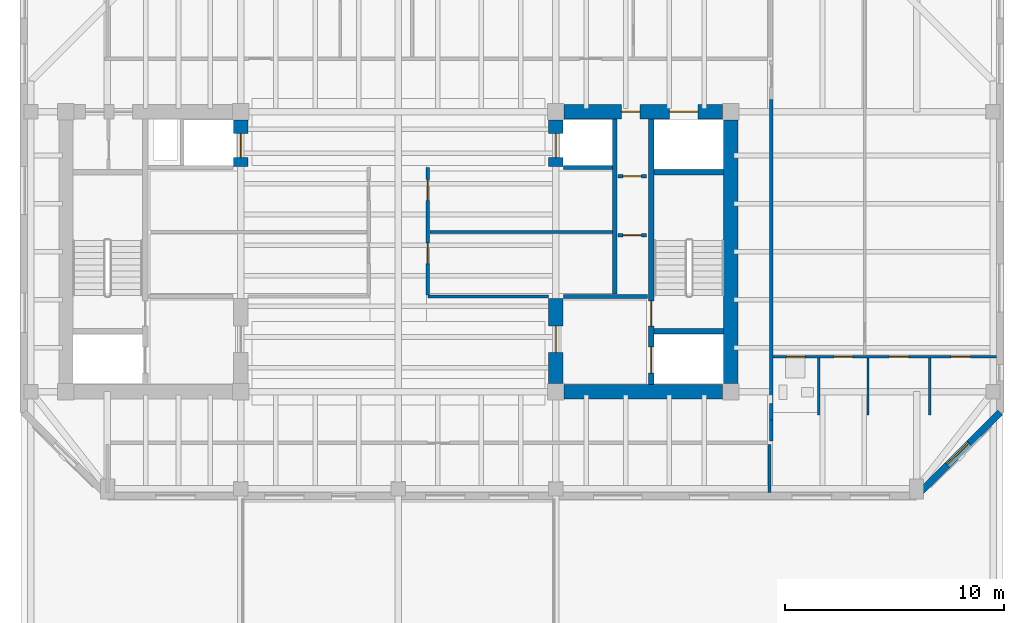
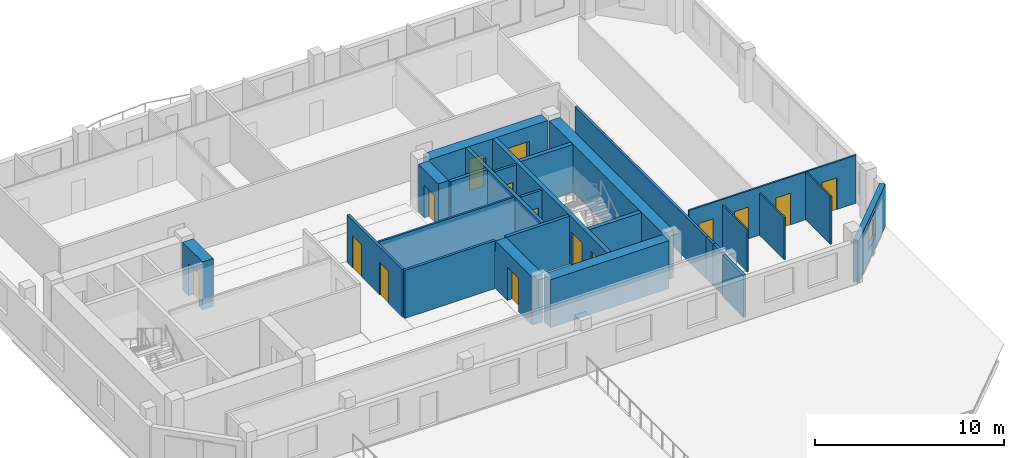
# One storey, part 4 of 10: 26 walls, 15 doors, 1 window, 16 openings.
"""IFC4 building model written with IfcOpenShell, lengths in metres."""

from ifc_helpers import new_model, si_unit, direction, frame, frame_2d, origin, place, context, subcontext, project, spatial, rectangle, extrude, material, layer, layer_set, type_object, element, fill, save


model = new_model("IFC4")

# Units and contexts
model_context = context("Model", 3, precision=1e-05, world=origin(), true_north=direction((0.0, 1.0)))
body_context = subcontext(model_context, "Body", "Model", "MODEL_VIEW")
ifc_project = project(units=[si_unit("LENGTHUNIT", "METRE"), si_unit("AREAUNIT", "SQUARE_METRE"), si_unit("VOLUMEUNIT", "CUBIC_METRE"), si_unit("PLANEANGLEUNIT", "RADIAN"), si_unit("MASSUNIT", "GRAM", prefix="KILO")], contexts=[model_context])

# Site, building, storey
site_placement = place(None, origin())
site = spatial("IfcSite", under=ifc_project, at=site_placement, CompositionType="ELEMENT")
building_placement = place(site_placement, origin())
building = spatial("IfcBuilding", under=site, at=building_placement, Name="Kranthara Brick Stack", CompositionType="ELEMENT")
storey_placement = place(building_placement, frame((0.0, 0.0, 248.300048828125)))
storey = spatial("IfcBuildingStorey", under=building, at=storey_placement, Name="L65", CompositionType="ELEMENT", Elevation=248.300048828125)

# Wall, opening, window
ifc_material_1 = material(Name="Warm buff clay brick masonry M15", Category="masonry")
ifc_layer_1 = layer(ifc_material_1, 0.320068359375)
ifc_layer_set_1 = layer_set([ifc_layer_1], Name="Warm buff clay brick masonry M15")
wall_type_1 = type_object("IfcWallType", Name="WL-BRK-UPPR-320", PredefinedType="STANDARD", material=ifc_layer_set_1)
wall_1_placement = place(storey_placement, frame((55.52001953125, 19.85009765625, 0.0), z_axis=(0.0, 0.0, 1.0), x_axis=(-0.707106781187, -0.707106781187, 0.0)))
wall_1 = element("IfcWall", 1, at=wall_1_placement, inside=storey, type_object=wall_type_1, Name="L65 Exterior Brick Facade Wall SE 1", PredefinedType="STANDARD", context=body_context, shape_type="SweptSolid", body=[
    extrude(rectangle(XDim=5.40234375, YDim=0.320068359375, at=frame_2d((2.701171875, 0.0))), origin(), (0.0, 0.0, 1.0), 2.724853515625),
])
opening_1_placement = place(wall_1_placement, frame((2.0009765625, 0.0, 0.75)))
opening_1 = element("IfcOpeningElement", 2, at=opening_1_placement, cuts=wall_1, Name="Opening WN10", PredefinedType="OPENING", context=body_context, shape_type="SweptSolid", body=[
    extrude(rectangle(XDim=1.39990234375, YDim=1.64990234375, at=frame_2d((0.699951171875, 0.824951171875))), frame((0.0, 0.169921875, 0.0), z_axis=(0.0, -1.0, 0.0), x_axis=(1.0, 0.0, 0.0)), (0.0, 0.0, 1.0), 0.340087890625),
])
ifc_material_2 = material(Name="Double-glazed low-E solar control glass", Category="glass")
window_type = type_object("IfcWindowType", Name="WN-CHM-1400x1750", PartitioningType="SINGLE_PANEL", PredefinedType="WINDOW", material=ifc_material_2)
window_placement = place(opening_1_placement, origin())
window = element("IfcWindow", 3, at=window_placement, inside=storey, type_object=window_type, Name="L65 SE Chamfer Corner Window", OverallHeight=1.64990234375, OverallWidth=1.39990234375, PartitioningType="SINGLE_PANEL", PredefinedType="WINDOW", context=body_context, shape_type="SweptSolid", body=[
    extrude(rectangle(XDim=1.39990234375, YDim=1.64990234375, at=frame_2d((0.699951171875, 0.824951171875))), frame((0.0, -0.010009765625, 0.0), z_axis=(0.0, -1.0, 0.0), x_axis=(1.0, 0.0, 0.0)), (0.0, 0.0, 1.0), 0.06005859375),
])
fill(opening_1, window)

# Wall, openings, doors
ifc_material_3 = material(Name="Concrete C50/60", Category="concrete")
ifc_layer_2 = layer(ifc_material_3, 0.25)
ifc_layer_set_2 = layer_set([ifc_layer_2], Name="Concrete C50/60")
wall_type_2 = type_object("IfcWallType", Name="WL-CORE-250", PredefinedType="SHEAR", material=ifc_layer_set_2)
wall_2_placement = place(storey_placement, frame((39.56494140625, 21.135009765625, 0.0), z_axis=(0.0, 0.0, 1.0), x_axis=(0.0, 1.0, 0.0)))
wall_2 = element("IfcWall", 4, at=wall_2_placement, inside=storey, type_object=wall_type_2, Name="L65 East Core Stair Bearing Spine Wall", PredefinedType="SHEAR", context=body_context, shape_type="SweptSolid", body=[
    extrude(rectangle(XDim=12.1298828125, YDim=0.25, at=frame_2d((6.06494140625, 0.0))), origin(), (0.0, 0.0, 1.0), 3.099853515625),
])
opening_2_placement = place(wall_2_placement, frame((0.514892578125, 0.0, 0.0)))
opening_2 = element("IfcOpeningElement", 5, at=opening_2_placement, cuts=wall_2, Name="Opening LD01", PredefinedType="OPENING", context=body_context, shape_type="SweptSolid", body=[
    extrude(rectangle(XDim=1.199951171875, YDim=2.14990234375, at=frame_2d((0.60009765625, 1.074951171875))), frame((0.0, 0.135009765625, 0.0), z_axis=(0.0, -1.0, 0.0), x_axis=(1.0, 0.0, 0.0)), (0.0, 0.0, 1.0), 0.27001953125),
])
opening_3_placement = place(wall_2_placement, frame((2.6650390625, 0.0, 0.0)))
opening_3 = element("IfcOpeningElement", 6, at=opening_3_placement, cuts=wall_2, Name="Opening D05", PredefinedType="OPENING", context=body_context, shape_type="SweptSolid", body=[
    extrude(rectangle(XDim=1.14990234375, YDim=2.14990234375, at=frame_2d((0.574951171875, 1.074951171875))), frame((0.0, 0.135009765625, 0.0), z_axis=(0.0, -1.0, 0.0), x_axis=(1.0, 0.0, 0.0)), (0.0, 0.0, 1.0), 0.27001953125),
])
ifc_material_4 = material(Name="Stainless steel sliding landing door", Category="steel")
door_type_1 = type_object("IfcDoorType", Name="DR-LD-FF1200", OperationType="DOUBLE_DOOR_SLIDING", PredefinedType="DOOR", material=ifc_material_4)
door_1_placement = place(opening_2_placement, origin())
door_1 = element("IfcDoor", 7, at=door_1_placement, inside=storey, type_object=door_type_1, Name="L65 Firefighting Lift FF-02 Landing Door", OperationType="DOUBLE_DOOR_SLIDING", OverallHeight=2.14990234375, OverallWidth=1.199951171875, PredefinedType="DOOR", context=body_context, shape_type="SweptSolid", body=[
    extrude(rectangle(XDim=1.199951171875, YDim=2.14990234375, at=frame_2d((0.60009765625, 1.074951171875))), frame((0.0, 0.02490234375, 0.0), z_axis=(0.0, -1.0, 0.0), x_axis=(1.0, 0.0, 0.0)), (0.0, 0.0, 1.0), 0.050048828125),
])
fill(opening_2, door_1)
ifc_material_5 = material(Name="Solid-core hardwood timber leaf in steel frame", Category="steel")
door_type_2 = type_object("IfcDoorType", Name="DR-ST-1150", OperationType="NOTDEFINED", PredefinedType="DOOR", material=ifc_material_5)
door_2_placement = place(opening_3_placement, origin())
door_2 = element("IfcDoor", 8, at=door_2_placement, inside=storey, type_object=door_type_2, Name="L65 Exit Stair ST02 Door", OperationType="SINGLE_SWING_LEFT", OverallHeight=2.14990234375, OverallWidth=1.14990234375, PredefinedType="DOOR", context=body_context, shape_type="SweptSolid", body=[
    extrude(rectangle(XDim=1.14990234375, YDim=2.14990234375, at=frame_2d((0.574951171875, 1.074951171875))), frame((0.0, 0.02490234375, 0.0), z_axis=(0.0, -1.0, 0.0), x_axis=(1.0, 0.0, 0.0)), (0.0, 0.0, 1.0), 0.050048828125),
])
fill(opening_3, door_2)

# Walls
for number, where, z_axis, x_axis, name in (
    (9, (39.68994140625, 23.570068359375, 0.0), (0.0, 0.0, 1.0), (1.0, 0.0, 0.0), "L65 East Stairwell Bearing Wall EFF"),
    (10, (39.68994140625, 30.830078125, 0.0), (0.0, 0.0, 1.0), (1.0, 0.0, 0.0), "L65 East Stairwell Bearing Wall EST"),
):
    element("IfcWall", number, at=place(storey_placement, frame(where, z_axis=z_axis, x_axis=x_axis)), inside=storey, type_object=wall_type_2, Name=name, PredefinedType="SHEAR", context=body_context, shape_type="SweptSolid", body=[
        extrude(rectangle(XDim=3.175048828125, YDim=0.25, at=frame_2d((1.58740234375, 0.0))), origin(), (0.0, 0.0, 1.0), 3.099853515625),
    ])

# Wall, opening, door
ifc_material_6 = material(Name="Concrete C60/75", Category="concrete")
ifc_layer_3 = layer(ifc_material_6, 0.64990234375)
ifc_layer_set_3 = layer_set([ifc_layer_3], Name="Concrete C60/75")
wall_type_3 = type_object("IfcWallType", Name="WL-CORE-650", PredefinedType="SHEAR", material=ifc_layer_set_3)
wall_3_placement = place(storey_placement, frame((20.800048828125, 31.10009765625, 0.0), z_axis=(0.0, 0.0, 1.0), x_axis=(0.0, 1.0, 0.0)))
wall_3 = element("IfcWall", 11, at=wall_3_placement, inside=storey, type_object=wall_type_3, Name="L65 West Core High-Rise Lift Wall", PredefinedType="SHEAR", context=body_context, shape_type="SweptSolid", body=[
    extrude(rectangle(XDim=2.119873046875, YDim=0.64990234375, at=frame_2d((1.06005859375, 0.0))), origin(), (0.0, 0.0, 1.0), 3.099853515625),
])
opening_4_placement = place(wall_3_placement, frame((0.39990234375, 0.0, 0.0)))
opening_4 = element("IfcOpeningElement", 12, at=opening_4_placement, cuts=wall_3, Name="Opening LD02", PredefinedType="OPENING", context=body_context, shape_type="SweptSolid", body=[
    extrude(rectangle(XDim=1.10009765625, YDim=2.10009765625, at=frame_2d((0.550048828125, 1.050048828125))), frame((0.0, 0.3349609375, 0.0), z_axis=(0.0, -1.0, 0.0), x_axis=(1.0, 0.0, 0.0)), (0.0, 0.0, 1.0), 0.669921875),
])
ifc_material_7 = material(Name="Stainless steel sliding landing door", Category="steel")
door_type_3 = type_object("IfcDoorType", Name="DR-LD-PL1100", OperationType="DOUBLE_DOOR_SLIDING", PredefinedType="DOOR", material=ifc_material_7)
door_3_placement = place(opening_4_placement, origin())
door_3 = element("IfcDoor", 13, at=door_3_placement, inside=storey, type_object=door_type_3, Name="L65 PL-07 Lift Landing Door", OperationType="DOUBLE_DOOR_SLIDING", OverallHeight=2.10009765625, OverallWidth=1.10009765625, PredefinedType="DOOR", context=body_context, shape_type="SweptSolid", body=[
    extrude(rectangle(XDim=1.10009765625, YDim=2.10009765625, at=frame_2d((0.550048828125, 1.050048828125))), frame((0.0, 0.02490234375, 0.0), z_axis=(0.0, -1.0, 0.0), x_axis=(1.0, 0.0, 0.0)), (0.0, 0.0, 1.0), 0.050048828125),
])
fill(opening_4, door_3)

# Walls
wall_4_placement = place(storey_placement, frame((43.199951171875, 21.179931640625, 0.0), z_axis=(0.0, 0.0, 1.0), x_axis=(0.0, 1.0, 0.0)))
element("IfcWall", 14, at=wall_4_placement, inside=storey, type_object=wall_type_3, Name="L65 East Core Shear Wall East", PredefinedType="SHEAR", context=body_context, shape_type="SweptSolid", body=[
    extrude(rectangle(XDim=12.0400390625, YDim=0.64990234375, at=frame_2d((6.02001953125, 0.0))), origin(), (0.0, 0.0, 1.0), 3.099853515625),
])
wall_5_placement = place(storey_placement, frame((35.580078125, 20.800048828125, 0.0), z_axis=(0.0, 0.0, 1.0), x_axis=(1.0, 0.0, 0.0)))
element("IfcWall", 15, at=wall_5_placement, inside=storey, type_object=wall_type_3, Name="L65 East Core Shear Wall South", PredefinedType="SHEAR", context=body_context, shape_type="SweptSolid", body=[
    extrude(rectangle(XDim=7.239990234375, YDim=0.64990234375, at=frame_2d((3.6201171875, 0.0))), origin(), (0.0, 0.0, 1.0), 3.099853515625),
])

# Wall, openings, doors
wall_6_placement = place(storey_placement, frame((35.580078125, 33.60009765625, 0.0), z_axis=(0.0, 0.0, 1.0), x_axis=(1.0, 0.0, 0.0)))
wall_6 = element("IfcWall", 16, at=wall_6_placement, inside=storey, type_object=wall_type_3, Name="L65 East Core Shear Wall North", PredefinedType="SHEAR", context=body_context, shape_type="SweptSolid", body=[
    extrude(rectangle(XDim=7.239990234375, YDim=0.64990234375, at=frame_2d((3.6201171875, 0.0))), origin(), (0.0, 0.0, 1.0), 3.099853515625),
])
opening_5_placement = place(wall_6_placement, frame((4.820068359375, 0.0, 0.0)))
opening_5 = element("IfcOpeningElement", 17, at=opening_5_placement, cuts=wall_6, Name="Opening LD03", PredefinedType="OPENING", context=body_context, shape_type="SweptSolid", body=[
    extrude(rectangle(XDim=1.300048828125, YDim=2.14990234375, at=frame_2d((0.64990234375, 1.074951171875))), frame((0.0, 0.3349609375, 0.0), z_axis=(0.0, -1.0, 0.0), x_axis=(1.0, 0.0, 0.0)), (0.0, 0.0, 1.0), 0.669921875),
])
opening_6_placement = place(wall_6_placement, frame((2.6201171875, 0.0, 0.0)))
opening_6 = element("IfcOpeningElement", 18, at=opening_6_placement, cuts=wall_6, Name="Opening D10", PredefinedType="OPENING", context=body_context, shape_type="SweptSolid", body=[
    extrude(rectangle(XDim=0.85009765625, YDim=2.02001953125, at=frame_2d((0.425048828125, 1.010009765625))), frame((0.0, 0.3349609375, 0.0), z_axis=(0.0, -1.0, 0.0), x_axis=(1.0, 0.0, 0.0)), (0.0, 0.0, 1.0), 0.669921875),
])
ifc_material_8 = material(Name="Stainless steel sliding landing door", Category="steel")
door_type_4 = type_object("IfcDoorType", Name="DR-LD-SV1300", OperationType="DOUBLE_DOOR_SLIDING", PredefinedType="DOOR", material=ifc_material_8)
door_4_placement = place(opening_5_placement, origin())
door_4 = element("IfcDoor", 19, at=door_4_placement, inside=storey, type_object=door_type_4, Name="L65 Stretcher Service Lift SV-01 Landing Door", OperationType="DOUBLE_DOOR_SLIDING", OverallHeight=2.14990234375, OverallWidth=1.300048828125, PredefinedType="DOOR", context=body_context, shape_type="SweptSolid", body=[
    extrude(rectangle(XDim=1.300048828125, YDim=2.14990234375, at=frame_2d((0.64990234375, 1.074951171875))), frame((0.0, 0.02490234375, 0.0), z_axis=(0.0, -1.0, 0.0), x_axis=(1.0, 0.0, 0.0)), (0.0, 0.0, 1.0), 0.050048828125),
])
fill(opening_5, door_4)
ifc_material_9 = material(Name="Solid-core hardwood timber leaf in steel frame", Category="steel")
door_type_5 = type_object("IfcDoorType", Name="DR-RSR-850", OperationType="NOTDEFINED", PredefinedType="DOOR", material=ifc_material_9)
door_5_placement = place(opening_6_placement, origin())
door_5 = element("IfcDoor", 20, at=door_5_placement, inside=storey, type_object=door_type_5, Name="L65 East Core Service Room Door", OperationType="SINGLE_SWING_LEFT", OverallHeight=2.02001953125, OverallWidth=0.85009765625, PredefinedType="DOOR", context=body_context, shape_type="SweptSolid", body=[
    extrude(rectangle(XDim=0.85009765625, YDim=2.02001953125, at=frame_2d((0.425048828125, 1.010009765625))), frame((0.0, 0.02490234375, 0.0), z_axis=(0.0, -1.0, 0.0), x_axis=(1.0, 0.0, 0.0)), (0.0, 0.0, 1.0), 0.050048828125),
])
fill(opening_6, door_5)

# Wall, opening, door
wall_7_placement = place(storey_placement, frame((35.199951171875, 21.179931640625, 0.0), z_axis=(0.0, 0.0, 1.0), x_axis=(0.0, 1.0, 0.0)))
wall_7 = element("IfcWall", 21, at=wall_7_placement, inside=storey, type_object=wall_type_3, Name="L65 East Core Lobby Shear Wall", PredefinedType="SHEAR", context=body_context, shape_type="SweptSolid", body=[
    extrude(rectangle(XDim=3.8701171875, YDim=0.64990234375, at=frame_2d((1.93505859375, 0.0))), origin(), (0.0, 0.0, 1.0), 3.099853515625),
])
opening_7_placement = place(wall_7_placement, frame((1.419921875, 0.0, 0.0)))
opening_7 = element("IfcOpeningElement", 22, at=opening_7_placement, cuts=wall_7, Name="Opening D06", PredefinedType="OPENING", context=body_context, shape_type="SweptSolid", body=[
    extrude(rectangle(XDim=1.199951171875, YDim=2.14990234375, at=frame_2d((0.60009765625, 1.074951171875))), frame((0.0, 0.3349609375, 0.0), z_axis=(0.0, -1.0, 0.0), x_axis=(1.0, 0.0, 0.0)), (0.0, 0.0, 1.0), 0.669921875),
])
ifc_material_10 = material(Name="Solid-core hardwood timber leaf in steel frame", Category="steel")
door_type_6 = type_object("IfcDoorType", Name="DR-FFL-1200", OperationType="NOTDEFINED", PredefinedType="DOOR", material=ifc_material_10)
door_6_placement = place(opening_7_placement, origin())
door_6 = element("IfcDoor", 23, at=door_6_placement, inside=storey, type_object=door_type_6, Name="L65 East Firefighting Lobby Door", OperationType="SINGLE_SWING_RIGHT", OverallHeight=2.14990234375, OverallWidth=1.199951171875, PredefinedType="DOOR", context=body_context, shape_type="SweptSolid", body=[
    extrude(rectangle(XDim=1.199951171875, YDim=2.14990234375, at=frame_2d((0.60009765625, 1.074951171875))), frame((0.0, 0.02490234375, 0.0), z_axis=(0.0, -1.0, 0.0), x_axis=(1.0, 0.0, 0.0)), (0.0, 0.0, 1.0), 0.050048828125),
])
fill(opening_7, door_6)

wall_8_placement = place(storey_placement, frame((35.199951171875, 31.10009765625, 0.0), z_axis=(0.0, 0.0, 1.0), x_axis=(0.0, 1.0, 0.0)))
wall_8 = element("IfcWall", 24, at=wall_8_placement, inside=storey, type_object=wall_type_3, Name="L65 East Core High-Rise Lift Wall", PredefinedType="SHEAR", context=body_context, shape_type="SweptSolid", body=[
    extrude(rectangle(XDim=2.119873046875, YDim=0.64990234375, at=frame_2d((1.06005859375, 0.0))), origin(), (0.0, 0.0, 1.0), 3.099853515625),
])
opening_8_placement = place(wall_8_placement, frame((0.39990234375, 0.0, 0.0)))
opening_8 = element("IfcOpeningElement", 25, at=opening_8_placement, cuts=wall_8, Name="Opening LD02", PredefinedType="OPENING", context=body_context, shape_type="SweptSolid", body=[
    extrude(rectangle(XDim=1.10009765625, YDim=2.10009765625, at=frame_2d((0.550048828125, 1.050048828125))), frame((0.0, 0.3349609375, 0.0), z_axis=(0.0, -1.0, 0.0), x_axis=(1.0, 0.0, 0.0)), (0.0, 0.0, 1.0), 0.669921875),
])
door_7_placement = place(opening_8_placement, origin())
door_7 = element("IfcDoor", 26, at=door_7_placement, inside=storey, type_object=door_type_3, Name="L65 PL-08 Lift Landing Door", OperationType="DOUBLE_DOOR_SLIDING", OverallHeight=2.10009765625, OverallWidth=1.10009765625, PredefinedType="DOOR", context=body_context, shape_type="SweptSolid", body=[
    extrude(rectangle(XDim=1.10009765625, YDim=2.10009765625, at=frame_2d((0.550048828125, 1.050048828125))), frame((0.0, 0.02490234375, 0.0), z_axis=(0.0, -1.0, 0.0), x_axis=(1.0, 0.0, 0.0)), (0.0, 0.0, 1.0), 0.050048828125),
])
fill(opening_8, door_7)

# Wall, openings, doors
ifc_material_11 = material(Name="Moisture-resistant wet-room partition", Category="other")
ifc_layer_4 = layer(ifc_material_11, 0.10009765625)
ifc_layer_set_4 = layer_set([ifc_layer_4], Name="Moisture-resistant wet-room partition")
wall_type_4 = type_object("IfcWallType", Name="WL-PART-100", PredefinedType="PARTITIONING", material=ifc_layer_set_4)
wall_9_placement = place(storey_placement, frame((45.1298828125, 22.39990234375, 0.0), z_axis=(0.0, 0.0, 1.0), x_axis=(1.0, 0.0, 0.0)))
wall_9 = element("IfcWall", 27, at=wall_9_placement, inside=storey, type_object=wall_type_4, Name="L65 Interior Partition 032", PredefinedType="PARTITIONING", context=body_context, shape_type="SweptSolid", body=[
    extrude(rectangle(XDim=10.22509765625, YDim=0.10009765625, at=frame_2d((5.112548828125, 0.0))), origin(), (0.0, 0.0, 1.0), 3.099853515625),
])
opening_9_placement = place(wall_9_placement, frame((0.626953125, 0.0, 0.0)))
opening_9 = element("IfcOpeningElement", 28, at=opening_9_placement, cuts=wall_9, Name="Opening D17", PredefinedType="OPENING", context=body_context, shape_type="SweptSolid", body=[
    extrude(rectangle(XDim=0.85009765625, YDim=2.050048828125, at=frame_2d((0.425048828125, 1.02490234375))), frame((0.0, 0.06005859375, 0.0), z_axis=(0.0, -1.0, 0.0), x_axis=(1.0, 0.0, 0.0)), (0.0, 0.0, 1.0), 0.1201171875),
])
opening_10_placement = place(wall_9_placement, frame((2.798095703125, 0.0, 0.0)))
opening_10 = element("IfcOpeningElement", 29, at=opening_10_placement, cuts=wall_9, Name="Opening D16", PredefinedType="OPENING", context=body_context, shape_type="SweptSolid", body=[
    extrude(rectangle(XDim=0.85009765625, YDim=2.050048828125, at=frame_2d((0.425048828125, 1.02490234375))), frame((0.0, 0.06005859375, 0.0), z_axis=(0.0, -1.0, 0.0), x_axis=(1.0, 0.0, 0.0)), (0.0, 0.0, 1.0), 0.1201171875),
])
opening_11_placement = place(wall_9_placement, frame((5.31396484375, 0.0, 0.0)))
opening_11 = element("IfcOpeningElement", 30, at=opening_11_placement, cuts=wall_9, Name="Opening D15", PredefinedType="OPENING", context=body_context, shape_type="SweptSolid", body=[
    extrude(rectangle(XDim=0.89990234375, YDim=2.050048828125, at=frame_2d((0.449951171875, 1.02490234375))), frame((0.0, 0.06005859375, 0.0), z_axis=(0.0, -1.0, 0.0), x_axis=(1.0, 0.0, 0.0)), (0.0, 0.0, 1.0), 0.1201171875),
])
opening_12_placement = place(wall_9_placement, frame((8.137939453125, 0.0, 0.0)))
opening_12 = element("IfcOpeningElement", 31, at=opening_12_placement, cuts=wall_9, Name="Opening D15", PredefinedType="OPENING", context=body_context, shape_type="SweptSolid", body=[
    extrude(rectangle(XDim=0.89990234375, YDim=2.050048828125, at=frame_2d((0.449951171875, 1.02490234375))), frame((0.0, 0.06005859375, 0.0), z_axis=(0.0, -1.0, 0.0), x_axis=(1.0, 0.0, 0.0)), (0.0, 0.0, 1.0), 0.1201171875),
])
ifc_material_12 = material(Name="Solid-core hardwood timber leaf in steel frame", Category="steel")
door_type_7 = type_object("IfcDoorType", Name="DR-INT-850", OperationType="NOTDEFINED", PredefinedType="DOOR", material=ifc_material_12)
door_8_placement = place(opening_10_placement, origin())
door_8 = element("IfcDoor", 32, at=door_8_placement, inside=storey, type_object=door_type_7, Name="L65 Unit L65C Kitchen 24", OperationType="SINGLE_SWING_RIGHT", OverallHeight=2.050048828125, OverallWidth=0.85009765625, PredefinedType="DOOR", context=body_context, shape_type="SweptSolid", body=[
    extrude(rectangle(XDim=0.85009765625, YDim=2.050048828125, at=frame_2d((0.425048828125, 1.02490234375))), frame((0.0, 0.02490234375, 0.0), z_axis=(0.0, -1.0, 0.0), x_axis=(1.0, 0.0, 0.0)), (0.0, 0.0, 1.0), 0.050048828125),
])
fill(opening_10, door_8)
ifc_material_13 = material(Name="Solid-core hardwood timber leaf in steel frame", Category="steel")
door_type_8 = type_object("IfcDoorType", Name="DR-INT-900", OperationType="NOTDEFINED", PredefinedType="DOOR", material=ifc_material_13)
door_9_placement = place(opening_11_placement, origin())
door_9 = element("IfcDoor", 33, at=door_9_placement, inside=storey, type_object=door_type_8, Name="L65 Unit L65C Master Bedroom 25", OperationType="SINGLE_SWING_LEFT", OverallHeight=2.050048828125, OverallWidth=0.89990234375, PredefinedType="DOOR", context=body_context, shape_type="SweptSolid", body=[
    extrude(rectangle(XDim=0.89990234375, YDim=2.050048828125, at=frame_2d((0.449951171875, 1.02490234375))), frame((0.0, 0.02490234375, 0.0), z_axis=(0.0, -1.0, 0.0), x_axis=(1.0, 0.0, 0.0)), (0.0, 0.0, 1.0), 0.050048828125),
])
fill(opening_11, door_9)
door_10_placement = place(opening_12_placement, origin())
door_10 = element("IfcDoor", 34, at=door_10_placement, inside=storey, type_object=door_type_8, Name="L65 Unit L65C Bedroom 2 26", OperationType="SINGLE_SWING_RIGHT", OverallHeight=2.050048828125, OverallWidth=0.89990234375, PredefinedType="DOOR", context=body_context, shape_type="SweptSolid", body=[
    extrude(rectangle(XDim=0.89990234375, YDim=2.050048828125, at=frame_2d((0.449951171875, 1.02490234375))), frame((0.0, 0.02490234375, 0.0), z_axis=(0.0, -1.0, 0.0), x_axis=(1.0, 0.0, 0.0)), (0.0, 0.0, 1.0), 0.050048828125),
])
fill(opening_12, door_10)
ifc_material_14 = material(Name="Solid-core hardwood timber leaf in steel frame", Category="steel")
door_type_9 = type_object("IfcDoorType", Name="DR-WET-850", OperationType="NOTDEFINED", PredefinedType="DOOR", material=ifc_material_14)
door_11_placement = place(opening_9_placement, origin())
door_11 = element("IfcDoor", 35, at=door_11_placement, inside=storey, type_object=door_type_9, Name="L65 Unit L65C Bathroom 23", OperationType="SINGLE_SWING_LEFT", OverallHeight=2.050048828125, OverallWidth=0.85009765625, PredefinedType="DOOR", context=body_context, shape_type="SweptSolid", body=[
    extrude(rectangle(XDim=0.85009765625, YDim=2.050048828125, at=frame_2d((0.425048828125, 1.02490234375))), frame((0.0, 0.02490234375, 0.0), z_axis=(0.0, -1.0, 0.0), x_axis=(1.0, 0.0, 0.0)), (0.0, 0.0, 1.0), 0.050048828125),
])
fill(opening_9, door_11)

# Walls
for number, where, z_axis, x_axis, name in (
    (36, (47.22412109375, 19.72998046875, 0.0), (0.0, 0.0, 1.0), (0.0, 1.0, 0.0), "L65 Interior Partition 034"),
    (37, (49.48193359375, 19.72998046875, 0.0), (0.0, 0.0, 1.0), (0.0, 1.0, 0.0), "L65 Interior Partition 035"),
):
    element("IfcWall", number, at=place(storey_placement, frame(where, z_axis=z_axis, x_axis=x_axis)), inside=storey, type_object=wall_type_4, Name=name, PredefinedType="PARTITIONING", context=body_context, shape_type="SweptSolid", body=[
        extrude(rectangle(XDim=2.614990234375, YDim=0.10009765625, at=frame_2d((1.3076171875, 0.0))), origin(), (0.0, 0.0, 1.0), 2.724853515625),
    ])
wall_10_placement = place(storey_placement, frame((52.305908203125, 19.72998046875, 0.0), z_axis=(0.0, 0.0, 1.0), x_axis=(0.0, 1.0, 0.0)))
element("IfcWall", 38, at=wall_10_placement, inside=storey, type_object=wall_type_4, Name="L65 Interior Partition 036", PredefinedType="PARTITIONING", context=body_context, shape_type="SweptSolid", body=[
    extrude(rectangle(XDim=2.614990234375, YDim=0.10009765625, at=frame_2d((1.3076171875, 0.0))), origin(), (0.0, 0.0, 1.0), 3.099853515625),
])
ifc_material_15 = material(Name="Acoustic gypsum plasterboard partition", Category="other")
ifc_layer_5 = layer(ifc_material_15, 0.1201171875)
ifc_layer_set_5 = layer_set([ifc_layer_5], Name="Acoustic gypsum plasterboard partition")
wall_type_5 = type_object("IfcWallType", Name="WL-PART-120", PredefinedType="PARTITIONING", material=ifc_layer_set_5)
wall_11_placement = place(storey_placement, frame((29.449951171875, 28.10009765625, 0.0), z_axis=(0.0, 0.0, 1.0), x_axis=(1.0, 0.0, 0.0)))
element("IfcWall", 39, at=wall_11_placement, inside=storey, type_object=wall_type_5, Name="L65 Interior Partition 009", PredefinedType="PARTITIONING", context=body_context, shape_type="SweptSolid", body=[
    extrude(rectangle(XDim=8.344970703125, YDim=0.1201171875, at=frame_2d((4.17236328125, 0.0))), origin(), (0.0, 0.0, 1.0), 3.099853515625),
])

# Wall, opening, door
ifc_material_16 = material(Name="Fire-rated gypsum board partition", Category="other")
ifc_layer_6 = layer(ifc_material_16, 0.14990234375)
ifc_layer_set_6 = layer_set([ifc_layer_6], Name="Fire-rated gypsum board partition")
wall_type_6 = type_object("IfcWallType", Name="WL-PART-150", PredefinedType="PARTITIONING", material=ifc_layer_set_6)
wall_12_placement = place(storey_placement, frame((38.050048828125, 27.949951171875, 0.0), z_axis=(0.0, 0.0, 1.0), x_axis=(1.0, 0.0, 0.0)))
wall_12 = element("IfcWall", 40, at=wall_12_placement, inside=storey, type_object=wall_type_6, Name="L65 Interior Partition 002", PredefinedType="PARTITIONING", context=body_context, shape_type="SweptSolid", body=[
    extrude(rectangle(XDim=1.300048828125, YDim=0.14990234375, at=frame_2d((0.64990234375, 0.0))), origin(), (0.0, 0.0, 1.0), 3.099853515625),
])
opening_13_placement = place(wall_12_placement, frame((0.219970703125, 0.0, 0.0)))
opening_13 = element("IfcOpeningElement", 41, at=opening_13_placement, cuts=wall_12, Name="Opening D10", PredefinedType="OPENING", context=body_context, shape_type="SweptSolid", body=[
    extrude(rectangle(XDim=0.85009765625, YDim=2.02001953125, at=frame_2d((0.425048828125, 1.010009765625))), frame((0.0, 0.0849609375, 0.0), z_axis=(0.0, -1.0, 0.0), x_axis=(1.0, 0.0, 0.0)), (0.0, 0.0, 1.0), 0.169921875),
])
door_12_placement = place(opening_13_placement, origin())
door_12 = element("IfcDoor", 42, at=door_12_placement, inside=storey, type_object=door_type_5, Name="L65 Riser Door 1 02", OperationType="SINGLE_SWING_RIGHT", OverallHeight=2.02001953125, OverallWidth=0.85009765625, PredefinedType="DOOR", context=body_context, shape_type="SweptSolid", body=[
    extrude(rectangle(XDim=0.85009765625, YDim=2.02001953125, at=frame_2d((0.425048828125, 1.010009765625))), frame((0.0, 0.02490234375, 0.0), z_axis=(0.0, -1.0, 0.0), x_axis=(1.0, 0.0, 0.0)), (0.0, 0.0, 1.0), 0.050048828125),
])
fill(opening_13, door_12)

wall_13_placement = place(storey_placement, frame((38.050048828125, 30.64990234375, 0.0), z_axis=(0.0, 0.0, 1.0), x_axis=(1.0, 0.0, 0.0)))
wall_13 = element("IfcWall", 43, at=wall_13_placement, inside=storey, type_object=wall_type_6, Name="L65 Interior Partition 003", PredefinedType="PARTITIONING", context=body_context, shape_type="SweptSolid", body=[
    extrude(rectangle(XDim=1.300048828125, YDim=0.14990234375, at=frame_2d((0.64990234375, 0.0))), origin(), (0.0, 0.0, 1.0), 3.099853515625),
])
opening_14_placement = place(wall_13_placement, frame((0.219970703125, 0.0, 0.0)))
opening_14 = element("IfcOpeningElement", 44, at=opening_14_placement, cuts=wall_13, Name="Opening D10", PredefinedType="OPENING", context=body_context, shape_type="SweptSolid", body=[
    extrude(rectangle(XDim=0.85009765625, YDim=2.02001953125, at=frame_2d((0.425048828125, 1.010009765625))), frame((0.0, 0.0849609375, 0.0), z_axis=(0.0, -1.0, 0.0), x_axis=(1.0, 0.0, 0.0)), (0.0, 0.0, 1.0), 0.169921875),
])
door_13_placement = place(opening_14_placement, origin())
door_13 = element("IfcDoor", 45, at=door_13_placement, inside=storey, type_object=door_type_5, Name="L65 Riser Door 2 03", OperationType="SINGLE_SWING_LEFT", OverallHeight=2.02001953125, OverallWidth=0.85009765625, PredefinedType="DOOR", context=body_context, shape_type="SweptSolid", body=[
    extrude(rectangle(XDim=0.85009765625, YDim=2.02001953125, at=frame_2d((0.425048828125, 1.010009765625))), frame((0.0, 0.02490234375, 0.0), z_axis=(0.0, -1.0, 0.0), x_axis=(1.0, 0.0, 0.0)), (0.0, 0.0, 1.0), 0.050048828125),
])
fill(opening_14, door_13)

# Wall
wall_14_placement = place(storey_placement, frame((29.35009765625, 25.14990234375, 0.0), z_axis=(0.0, 0.0, 1.0), x_axis=(1.0, 0.0, 0.0)))
element("IfcWall", 46, at=wall_14_placement, inside=storey, type_object=wall_type_6, Name="L65 Interior Partition 005", PredefinedType="PARTITIONING", context=body_context, shape_type="SweptSolid", body=[
    extrude(rectangle(XDim=5.52001953125, YDim=0.14990234375, at=frame_2d((2.760009765625, 0.0))), origin(), (0.0, 0.0, 1.0), 3.099853515625),
])

# Wall, openings, doors
wall_15_placement = place(storey_placement, frame((29.35009765625, 25.22998046875, 0.0), z_axis=(0.0, 0.0, 1.0), x_axis=(0.0, 1.0, 0.0)))
wall_15 = element("IfcWall", 47, at=wall_15_placement, inside=storey, type_object=wall_type_6, Name="L65 Interior Partition 008", PredefinedType="PARTITIONING", context=body_context, shape_type="SweptSolid", body=[
    extrude(rectangle(XDim=5.820068359375, YDim=0.14990234375, at=frame_2d((2.91015625, 0.0))), origin(), (0.0, 0.0, 1.0), 3.099853515625),
])
opening_15_placement = place(wall_15_placement, frame((1.419921875, 0.0, 0.0)))
opening_15 = element("IfcOpeningElement", 48, at=opening_15_placement, cuts=wall_15, Name="Opening D09", PredefinedType="OPENING", context=body_context, shape_type="SweptSolid", body=[
    extrude(rectangle(XDim=0.949951171875, YDim=2.10009765625, at=frame_2d((0.47509765625, 1.050048828125))), frame((0.0, 0.0849609375, 0.0), z_axis=(0.0, -1.0, 0.0), x_axis=(1.0, 0.0, 0.0)), (0.0, 0.0, 1.0), 0.169921875),
])
opening_16_placement = place(wall_15_placement, frame((4.320068359375, 0.0, 0.0)))
opening_16 = element("IfcOpeningElement", 49, at=opening_16_placement, cuts=wall_15, Name="Opening D09", PredefinedType="OPENING", context=body_context, shape_type="SweptSolid", body=[
    extrude(rectangle(XDim=0.949951171875, YDim=2.10009765625, at=frame_2d((0.47509765625, 1.050048828125))), frame((0.0, 0.0849609375, 0.0), z_axis=(0.0, -1.0, 0.0), x_axis=(1.0, 0.0, 0.0)), (0.0, 0.0, 1.0), 0.169921875),
])
ifc_material_17 = material(Name="Solid-core hardwood timber leaf in steel frame", Category="steel")
door_type_10 = type_object("IfcDoorType", Name="DR-FD-950", OperationType="NOTDEFINED", PredefinedType="DOOR", material=ifc_material_17)
door_14_placement = place(opening_15_placement, origin())
door_14 = element("IfcDoor", 50, at=door_14_placement, inside=storey, type_object=door_type_10, Name="L65 Private Tea Room 06", OperationType="SINGLE_SWING_RIGHT", OverallHeight=2.10009765625, OverallWidth=0.949951171875, PredefinedType="DOOR", context=body_context, shape_type="SweptSolid", body=[
    extrude(rectangle(XDim=0.949951171875, YDim=2.10009765625, at=frame_2d((0.47509765625, 1.050048828125))), frame((0.0, 0.02490234375, 0.0), z_axis=(0.0, -1.0, 0.0), x_axis=(1.0, 0.0, 0.0)), (0.0, 0.0, 1.0), 0.050048828125),
])
fill(opening_15, door_14)
door_15_placement = place(opening_16_placement, origin())
door_15 = element("IfcDoor", 51, at=door_15_placement, inside=storey, type_object=door_type_10, Name="L65 Private Dining Room 07", OperationType="SINGLE_SWING_LEFT", OverallHeight=2.10009765625, OverallWidth=0.949951171875, PredefinedType="DOOR", context=body_context, shape_type="SweptSolid", body=[
    extrude(rectangle(XDim=0.949951171875, YDim=2.10009765625, at=frame_2d((0.47509765625, 1.050048828125))), frame((0.0, 0.02490234375, 0.0), z_axis=(0.0, -1.0, 0.0), x_axis=(1.0, 0.0, 0.0)), (0.0, 0.0, 1.0), 0.050048828125),
])
fill(opening_16, door_15)

# Walls
wall_16_placement = place(storey_placement, frame((44.97998046875, 16.195068359375, 0.0), z_axis=(0.0, 0.0, 1.0), x_axis=(0.0, 1.0, 0.0)))
element("IfcWall", 52, at=wall_16_placement, inside=storey, type_object=wall_type_6, Name="L65 Interior Partition 012", PredefinedType="PARTITIONING", context=body_context, shape_type="SweptSolid", body=[
    extrude(rectangle(XDim=2.184814453125, YDim=0.14990234375, at=frame_2d((1.09228515625, 0.0))), origin(), (0.0, 0.0, 1.0), 2.724853515625),
])
wall_17_placement = place(storey_placement, frame((45.050048828125, 19.5, 0.0), z_axis=(0.0, 0.0, 1.0), x_axis=(0.0, -1.0, 0.0)))
element("IfcWall", 53, at=wall_17_placement, inside=storey, type_object=wall_type_6, Name="L65 Interior Partition 027", PredefinedType="PARTITIONING", context=body_context, shape_type="SweptSolid", body=[
    extrude(rectangle(XDim=0.9599609375, YDim=0.14990234375, at=frame_2d((0.47998046875, 0.0))), origin(), (0.0, 0.0, 1.0), 2.724853515625),
])
wall_18_placement = place(storey_placement, frame((45.050048828125, 19.510009765625, 0.0), z_axis=(0.0, 0.0, 1.0), x_axis=(0.0, 1.0, 0.0)))
element("IfcWall", 54, at=wall_18_placement, inside=storey, type_object=wall_type_6, Name="L65 Interior Partition 028", PredefinedType="PARTITIONING", context=body_context, shape_type="SweptSolid", body=[
    extrude(rectangle(XDim=0.739990234375, YDim=0.14990234375, at=frame_2d((0.3701171875, 0.0))), origin(), (0.0, 0.0, 1.0), 2.724853515625),
])
wall_19_placement = place(storey_placement, frame((45.050048828125, 20.25, 0.0), z_axis=(0.0, 0.0, 1.0), x_axis=(0.0, 1.0, 0.0)))
element("IfcWall", 55, at=wall_19_placement, inside=storey, type_object=wall_type_6, Name="L65 Interior Partition 029", PredefinedType="PARTITIONING", context=body_context, shape_type="SweptSolid", body=[
    extrude(rectangle(XDim=13.89990234375, YDim=0.14990234375, at=frame_2d((6.949951171875, 0.0))), origin(), (0.0, 0.0, 1.0), 2.724853515625),
])
ifc_material_18 = material(Name="Concrete C40/50", Category="concrete")
ifc_layer_7 = layer(ifc_material_18, 0.199951171875)
ifc_layer_set_7 = layer_set([ifc_layer_7], Name="Concrete C40/50")
wall_type_7 = type_object("IfcWallType", Name="WL-PART-200", PredefinedType="SOLIDWALL", material=ifc_layer_set_7)
wall_20_placement = place(storey_placement, frame((35.550048828125, 25.14990234375, 0.0), z_axis=(0.0, 0.0, 1.0), x_axis=(1.0, 0.0, 0.0)))
element("IfcWall", 56, at=wall_20_placement, inside=storey, type_object=wall_type_7, Name="L65 East Core Cross Wall EFL", PredefinedType="SOLIDWALL", context=body_context, shape_type="SweptSolid", body=[
    extrude(rectangle(XDim=3.849853515625, YDim=0.199951171875, at=frame_2d((1.9248046875, 0.0))), origin(), (0.0, 0.0, 1.0), 3.099853515625),
])
wall_21_placement = place(storey_placement, frame((35.550048828125, 31.050048828125, 0.0), z_axis=(0.0, 0.0, 1.0), x_axis=(1.0, 0.0, 0.0)))
element("IfcWall", 57, at=wall_21_placement, inside=storey, type_object=wall_type_7, Name="L65 East Core Cross Wall EE4", PredefinedType="SOLIDWALL", context=body_context, shape_type="SweptSolid", body=[
    extrude(rectangle(XDim=2.25, YDim=0.199951171875, at=frame_2d((1.125, 0.0))), origin(), (0.0, 0.0, 1.0), 3.099853515625),
])
wall_22_placement = place(storey_placement, frame((37.89990234375, 25.27001953125, 0.0), z_axis=(0.0, 0.0, 1.0), x_axis=(0.0, 1.0, 0.0)))
element("IfcWall", 58, at=wall_22_placement, inside=storey, type_object=wall_type_7, Name="L65 East Core Cross Wall ESV", PredefinedType="SOLIDWALL", context=body_context, shape_type="SweptSolid", body=[
    extrude(rectangle(XDim=7.994873046875, YDim=0.199951171875, at=frame_2d((3.99755859375, 0.0))), origin(), (0.0, 0.0, 1.0), 3.099853515625),
])

save(model, "model.ifc")
